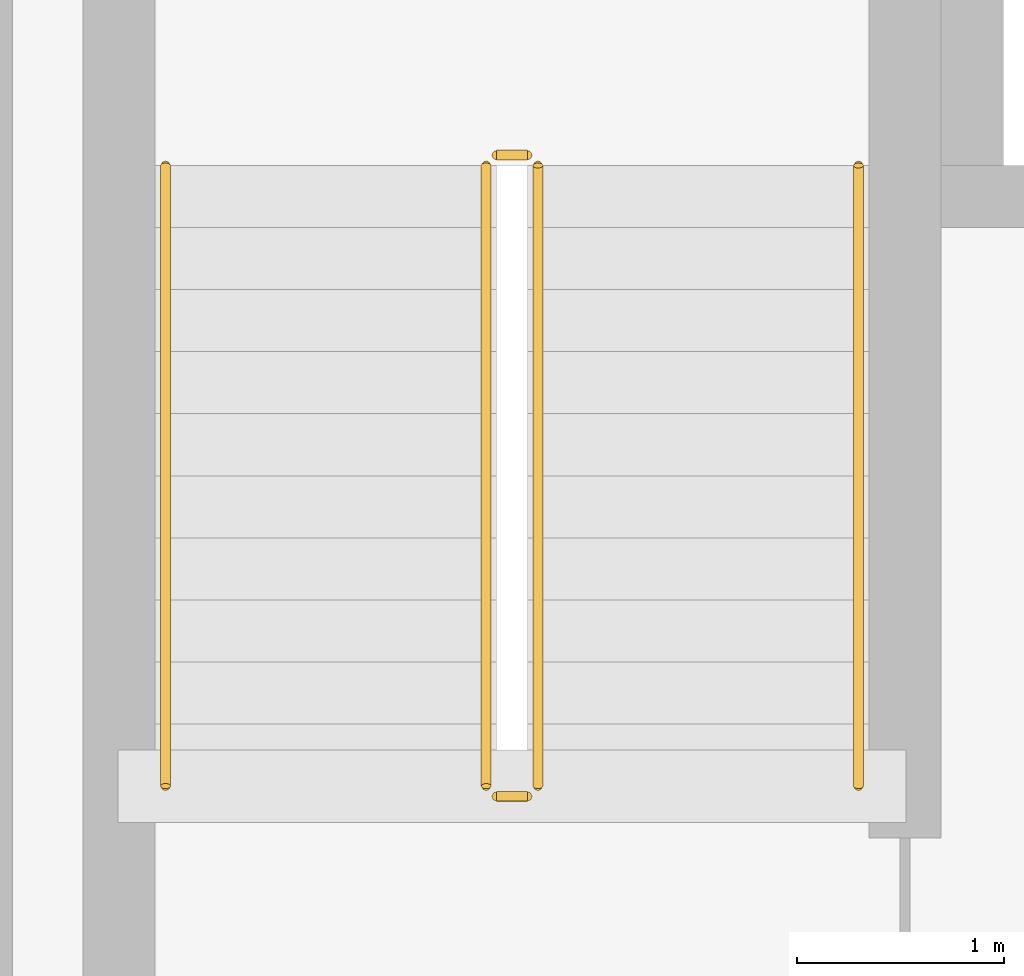
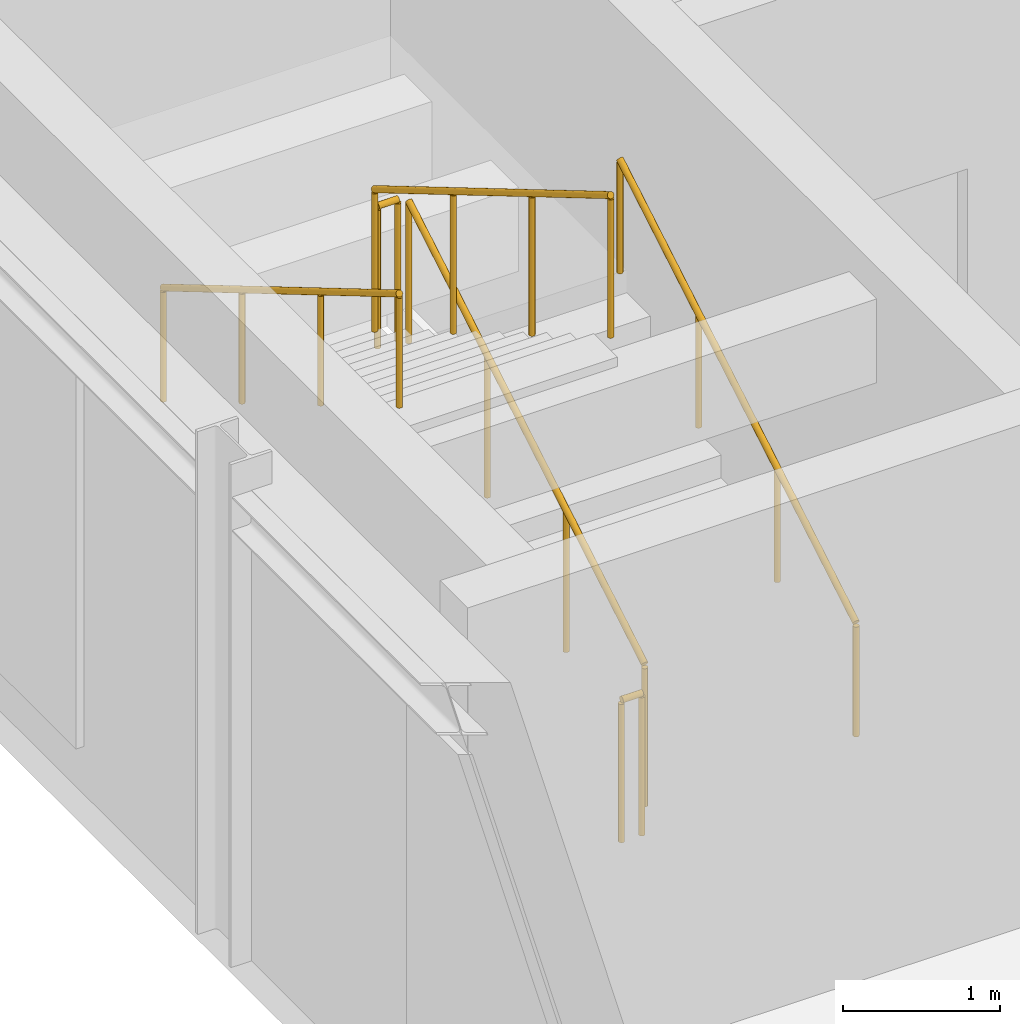
# One storey, part 40 of 44: 6 railings.
"""IFC4 building model written with IfcOpenShell, lengths in metres."""

from ifc_helpers import new_model, si_unit, direction, frame, origin, origin_2d, place, context, subcontext, project, spatial, circle, extrude, material, material_profile, profile_set, type_object, element, save


model = new_model("IFC4")

# Units and contexts
model_context = context("Model", 3, precision=1e-05, world=origin(), true_north=direction((0.0, 1.0)))
body_context = subcontext(model_context, "Body", "Model", "MODEL_VIEW")
ifc_project = project(units=[si_unit("LENGTHUNIT", "METRE"), si_unit("AREAUNIT", "SQUARE_METRE"), si_unit("VOLUMEUNIT", "CUBIC_METRE"), si_unit("PLANEANGLEUNIT", "RADIAN"), si_unit("MASSUNIT", "GRAM", prefix="KILO")], contexts=[model_context])

# Site, building, storey
site_placement = place(None, origin())
site = spatial("IfcSite", under=ifc_project, at=site_placement, CompositionType="ELEMENT")
building_placement = place(site_placement, origin())
building = spatial("IfcBuilding", under=site, at=building_placement, Name="Tazoul Stagehouse", CompositionType="ELEMENT")
storey_placement = place(building_placement, frame((0.0, 0.0, 13.199951171875)))
storey = spatial("IfcBuildingStorey", under=building, at=storey_placement, Name="L03", CompositionType="ELEMENT", Elevation=13.199951171875)

# Railings
ifc_material = material(Name="Brushed Stainless Steel 316L", Category="steel")
ifc_material_profile_1 = material_profile(ifc_material, circle(Radius=0.02392578125, at=origin_2d()), Name="SS RAIL D48")
ifc_profile_set_1 = profile_set([ifc_material_profile_1], Name="Brushed Stainless Steel 316L")
railing_type_1 = type_object("IfcRailingType", Name="Architectural Guardrail H1120", PredefinedType="GUARDRAIL", material=ifc_profile_set_1)
railing_1_placement = place(storey_placement, frame((60.5, 103.800048828125, 0.17724609375)))
element("IfcRailing", 1, at=railing_1_placement, inside=storey, type_object=railing_type_1, Name="L03 ST-03 stair guard 1", PredefinedType="GUARDRAIL", context=body_context, shape_type="SweptSolid", body=[
    extrude(circle(Radius=0.02392578125, at=origin_2d()), frame((0.0, 0.0, 1.09619140625), z_axis=(0.0, 0.86092931783, 0.508724591208), x_axis=(-1.0, 0.0, 0.0)), (0.0, 0.0, 1.0), 3.484619140625),
    extrude(circle(Radius=0.02099609375, at=origin_2d()), origin(), (0.0, 0.0, 1.0), 1.072021484375),
    extrude(circle(Radius=0.02099609375, at=origin_2d()), frame((0.0, 1.0, 0.5908203125)), (0.0, 0.0, 1.0), 1.072021484375),
    extrude(circle(Radius=0.02099609375, at=origin_2d()), frame((0.0, 2.0, 1.181884765625)), (0.0, 0.0, 1.0), 1.072021484375),
    extrude(circle(Radius=0.02099609375, at=origin_2d()), frame((0.0, 3.0, 1.772705078125)), (0.0, 0.0, 1.0), 1.072021484375),
])
railing_2_placement = place(storey_placement, frame((60.449951171875, 106.85009765625, 1.949951171875)))
element("IfcRailing", 2, at=railing_2_placement, inside=storey, type_object=railing_type_1, Name="L03 ST-03 stair guard 2", PredefinedType="GUARDRAIL", context=body_context, shape_type="SweptSolid", body=[
    extrude(circle(Radius=0.02392578125, at=origin_2d()), frame((0.0, 0.0, 1.09619140625), z_axis=(-1.0, 0.0, 0.0), x_axis=(0.0, -1.0, 0.0)), (0.0, 0.0, 1.0), 0.14990234375),
    extrude(circle(Radius=0.02099609375, at=origin_2d()), origin(), (0.0, 0.0, 1.0), 1.072021484375),
    extrude(circle(Radius=0.02099609375, at=origin_2d()), frame((-0.14990234375, 0.0, 0.0)), (0.0, 0.0, 1.0), 1.072021484375),
])
railing_3_placement = place(storey_placement, frame((60.25, 106.800048828125, 2.12744140625)))
element("IfcRailing", 3, at=railing_3_placement, inside=storey, type_object=railing_type_1, Name="L03 ST-03 stair guard 3", PredefinedType="GUARDRAIL", context=body_context, shape_type="SweptSolid", body=[
    extrude(circle(Radius=0.02392578125, at=origin_2d()), frame((0.0, 0.0, 1.09619140625), z_axis=(0.0, -0.86092931783, 0.508724591208), x_axis=(1.0, 0.0, 0.0)), (0.0, 0.0, 1.0), 3.484619140625),
    extrude(circle(Radius=0.02099609375, at=origin_2d()), origin(), (0.0, 0.0, 1.0), 1.072021484375),
    extrude(circle(Radius=0.02099609375, at=origin_2d()), frame((0.0, -1.0, 0.5908203125)), (0.0, 0.0, 1.0), 1.072021484375),
    extrude(circle(Radius=0.02099609375, at=origin_2d()), frame((0.0, -2.0, 1.181884765625)), (0.0, 0.0, 1.0), 1.072021484375),
    extrude(circle(Radius=0.02099609375, at=origin_2d()), frame((0.0, -3.0, 1.772705078125)), (0.0, 0.0, 1.0), 1.072021484375),
])
railing_4_placement = place(storey_placement, frame((60.449951171875, 103.75, 0.0)))
element("IfcRailing", 4, at=railing_4_placement, inside=storey, type_object=railing_type_1, Name="L03 ST-03 stair guard 4", PredefinedType="GUARDRAIL", context=body_context, shape_type="SweptSolid", body=[
    extrude(circle(Radius=0.02392578125, at=origin_2d()), frame((0.0, 0.0, 1.09619140625), z_axis=(-1.0, 0.0, 0.0), x_axis=(0.0, -1.0, 0.0)), (0.0, 0.0, 1.0), 0.14990234375),
    extrude(circle(Radius=0.02099609375, at=origin_2d()), origin(), (0.0, 0.0, 1.0), 1.072021484375),
    extrude(circle(Radius=0.02099609375, at=origin_2d()), frame((-0.14990234375, 0.0, 0.0)), (0.0, 0.0, 1.0), 1.072021484375),
])
ifc_material_profile_2 = material_profile(ifc_material, circle(Radius=0.02099609375, at=origin_2d()), Name="SS HANDRAIL D42")
ifc_profile_set_2 = profile_set([ifc_material_profile_2], Name="Brushed Stainless Steel 316L")
railing_type_2 = type_object("IfcRailingType", Name="Continuous Stair Handrail H900", PredefinedType="HANDRAIL", material=ifc_profile_set_2)
railing_5_placement = place(storey_placement, frame((62.050048828125, 103.800048828125, 0.17724609375)))
element("IfcRailing", 5, at=railing_5_placement, inside=storey, type_object=railing_type_2, Name="L03 ST-03 stair handrail 1", PredefinedType="HANDRAIL", context=body_context, shape_type="SweptSolid", body=[
    extrude(circle(Radius=0.02392578125, at=origin_2d()), frame((0.0, 0.0, 0.8759765625), z_axis=(0.0, 0.86092931783, 0.508724591208), x_axis=(-1.0, 0.0, 0.0)), (0.0, 0.0, 1.0), 3.484619140625),
    extrude(circle(Radius=0.02099609375, at=origin_2d()), origin(), (0.0, 0.0, 1.0), 0.851806640625),
    extrude(circle(Radius=0.02099609375, at=origin_2d()), frame((0.0, 1.0, 0.5908203125)), (0.0, 0.0, 1.0), 0.851806640625),
    extrude(circle(Radius=0.02099609375, at=origin_2d()), frame((0.0, 2.0, 1.181884765625)), (0.0, 0.0, 1.0), 0.851806640625),
    extrude(circle(Radius=0.02099609375, at=origin_2d()), frame((0.0, 3.0, 1.772705078125)), (0.0, 0.0, 1.0), 0.851806640625),
])
railing_6_placement = place(storey_placement, frame((58.699951171875, 106.800048828125, 2.12744140625)))
element("IfcRailing", 6, at=railing_6_placement, inside=storey, type_object=railing_type_2, Name="L03 ST-03 stair handrail 2", PredefinedType="HANDRAIL", context=body_context, shape_type="SweptSolid", body=[
    extrude(circle(Radius=0.02392578125, at=origin_2d()), frame((0.0, 0.0, 0.8759765625), z_axis=(0.0, -0.86092931783, 0.508724591208), x_axis=(1.0, 0.0, 0.0)), (0.0, 0.0, 1.0), 3.484619140625),
    extrude(circle(Radius=0.02099609375, at=origin_2d()), origin(), (0.0, 0.0, 1.0), 0.851806640625),
    extrude(circle(Radius=0.02099609375, at=origin_2d()), frame((0.0, -1.0, 0.5908203125)), (0.0, 0.0, 1.0), 0.851806640625),
    extrude(circle(Radius=0.02099609375, at=origin_2d()), frame((0.0, -2.0, 1.181884765625)), (0.0, 0.0, 1.0), 0.851806640625),
    extrude(circle(Radius=0.02099609375, at=origin_2d()), frame((0.0, -3.0, 1.772705078125)), (0.0, 0.0, 1.0), 0.851806640625),
])

save(model, "model.ifc")
